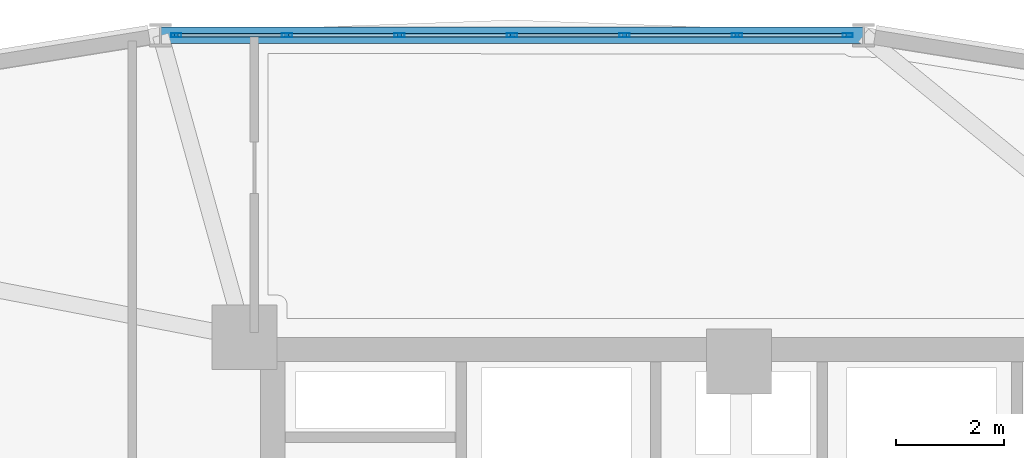
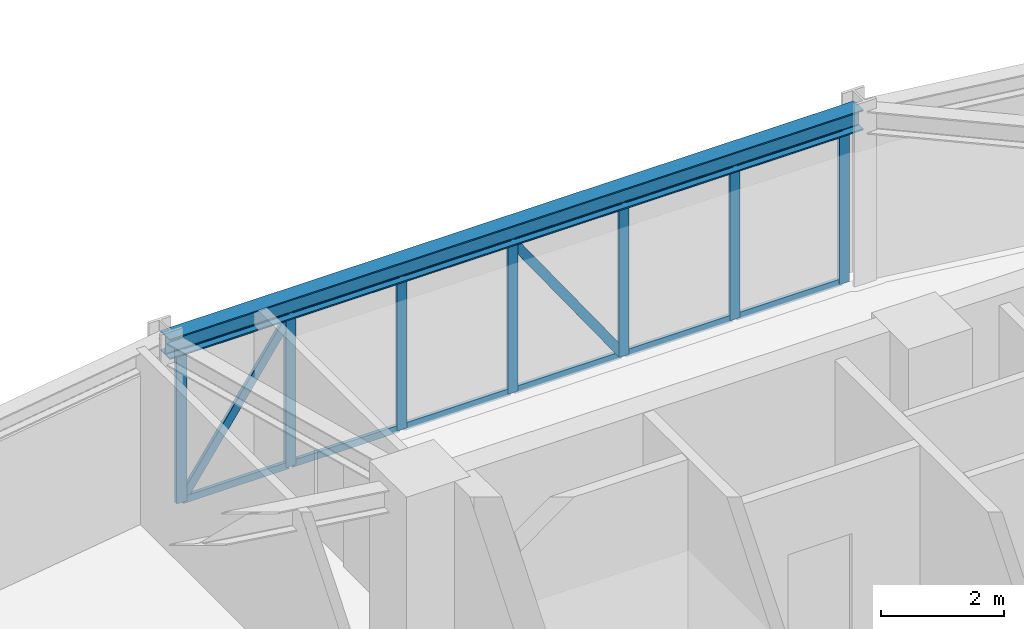
# One storey, part 8 of 15: 21 members, 1 beam, 1 element without a shape of its own.
"""IFC4 building model written with IfcOpenShell, lengths in metres."""

from ifc_helpers import new_model, si_unit, derived_unit, direction, frame, origin, origin_2d, place, context, subcontext, project, spatial, hollow_rectangle, i_section, extrude, source, transform, mapped, material, layer, layer_set, material_profile, profile_set, type_object, element, aggregate, save


model = new_model("IFC4")

# Units and contexts
model_context = context("Model", 3, precision=1e-05, world=origin(), true_north=direction((0.0, 1.0)))
body_context = subcontext(model_context, "Body", "Model", "MODEL_VIEW")
ifc_project = project(units=[si_unit("LENGTHUNIT", "METRE"), si_unit("AREAUNIT", "SQUARE_METRE"), si_unit("VOLUMEUNIT", "CUBIC_METRE"), si_unit("PLANEANGLEUNIT", "RADIAN"), si_unit("MASSUNIT", "GRAM", prefix="KILO"), derived_unit("THERMALTRANSMITTANCEUNIT", [(si_unit("POWERUNIT", "WATT"), 1), (si_unit("LENGTHUNIT", "METRE"), -2), (si_unit("THERMODYNAMICTEMPERATUREUNIT", "KELVIN"), -1)])], contexts=[model_context])

# Site, building, storey
site_placement = place(None, origin())
site = spatial("IfcSite", under=ifc_project, at=site_placement, CompositionType="ELEMENT")
building_placement = place(site_placement, origin())
building = spatial("IfcBuilding", under=site, at=building_placement, Name="Korsvarv Bourse and Concert Hall", CompositionType="ELEMENT")
storey_placement = place(building_placement, frame((0.0, 0.0, 147.0)))
storey = spatial("IfcBuildingStorey", under=building, at=storey_placement, Name="L37", CompositionType="ELEMENT", Elevation=147.0)

# Beam
ifc_material_1 = material(Name="Steel S355", Category="steel")
ifc_material_profile_1 = material_profile(ifc_material_1, i_section(OverallWidth=0.300048828125, OverallDepth=0.39990234375, WebThickness=0.013427734375, FlangeThickness=0.02392578125, FilletRadius=0.02099609375, at=origin_2d()), Name="HEB 400")
ifc_profile_set_1 = profile_set([ifc_material_profile_1], Name="Steel S355")
beam_type = type_object("IfcBeamType", Name="BM-HEB400", PredefinedType="SPANDREL", material=ifc_profile_set_1)
shared_shape_1 = source(origin(), body_context, "Body", "SweptSolid", [
    extrude(i_section(OverallWidth=0.300048828125, OverallDepth=0.39990234375, WebThickness=0.013427734375, FlangeThickness=0.02392578125, FilletRadius=0.02099609375, at=origin_2d()), origin(), (0.0, 0.0, 1.0), 13.00146484375),
])
beam_placement = place(storey_placement, frame((38.30078125, 52.83642578125, 3.199951171875), z_axis=(-1.0, 0.0, 0.0), x_axis=(0.0, -1.0, 0.0)))
element("IfcBeam", 1, at=beam_placement, inside=storey, type_object=beam_type, Name="L37 beam B-09", PredefinedType="SPANDREL", context=body_context, shape_type="MappedRepresentation", body=[
    mapped(shared_shape_1, transform((0.0, 0.0, 0.0), scale=1.0)),
])

# Curtain wall, members
ifc_material_2 = material(Name="Anodised aluminium and triple low-E glazing", Category="glass")
ifc_layer = layer(ifc_material_2, 0.2099609375)
ifc_layer_set = layer_set([ifc_layer], Name="Anodised aluminium and triple low-E glazing")
curtain_wall_type = type_object("IfcCurtainWallType", Name="CW-SYS-2", PredefinedType="NOTDEFINED", material=ifc_layer_set)
curtain_wall_placement = place(storey_placement, origin())
curtain_wall = element("IfcCurtainWall", 2, at=curtain_wall_placement, inside=storey, type_object=curtain_wall_type, Name="L37 CW2 curtain wall CW-L37-F03", PredefinedType="NOTDEFINED")
ifc_material_3 = material(Name="Extruded aluminium EN AW-6063 T66", Category="aluminium")
ifc_material_profile_2 = material_profile(ifc_material_3, hollow_rectangle(XDim=0.070068359375, YDim=0.18994140625, WallThickness=0.0048828125, at=origin_2d()), Name="ALU-M 70x190")
ifc_profile_set_2 = profile_set([ifc_material_profile_2], Name="Extruded aluminium EN AW-6063 T66")
member_type_1 = type_object("IfcMemberType", Name="CWM-190", PredefinedType="MULLION", material=ifc_profile_set_2)
shared_shape_2 = source(origin(), body_context, "Body", "SweptSolid", [
    extrude(hollow_rectangle(XDim=0.070068359375, YDim=0.18994140625, WallThickness=0.0048828125, at=origin_2d()), origin(), (0.0, 0.0, 1.0), 3.0),
])
member_1_placement = place(storey_placement, frame((38.009765625, 52.83642578125, 0.0), z_axis=(0.0, 0.0, 1.0), x_axis=(0.0, -1.0, 0.0)))
member_1 = element("IfcMember", 3, at=member_1_placement, type_object=member_type_1, Name="CW2 mullion 1", PredefinedType="MULLION", context=body_context, shape_type="MappedRepresentation", body=[
    mapped(shared_shape_2, transform((0.0, 0.0, 0.0), scale=1.0)),
])
member_2_placement = place(storey_placement, frame((35.963134765625, 52.83642578125, 0.0), z_axis=(0.0, 0.0, 1.0), x_axis=(0.0, -1.0, 0.0)))
member_2 = element("IfcMember", 4, at=member_2_placement, type_object=member_type_1, Name="CW2 mullion 2", PredefinedType="MULLION", context=body_context, shape_type="MappedRepresentation", body=[
    mapped(shared_shape_2, transform((0.0, 0.0, 0.0), scale=1.0)),
])
member_3_placement = place(storey_placement, frame((33.881591796875, 52.83642578125, 0.0), z_axis=(0.0, 0.0, 1.0), x_axis=(0.0, -1.0, 0.0)))
member_3 = element("IfcMember", 5, at=member_3_placement, type_object=member_type_1, Name="CW2 mullion 3", PredefinedType="MULLION", context=body_context, shape_type="MappedRepresentation", body=[
    mapped(shared_shape_2, transform((0.0, 0.0, 0.0), scale=1.0)),
])
member_4_placement = place(storey_placement, frame((31.800048828125, 52.83642578125, 0.0), z_axis=(0.0, 0.0, 1.0), x_axis=(0.0, -1.0, 0.0)))
member_4 = element("IfcMember", 6, at=member_4_placement, type_object=member_type_1, Name="CW2 mullion 4", PredefinedType="MULLION", context=body_context, shape_type="MappedRepresentation", body=[
    mapped(shared_shape_2, transform((0.0, 0.0, 0.0), scale=1.0)),
])
member_5_placement = place(storey_placement, frame((29.718505859375, 52.83642578125, 0.0), z_axis=(0.0, 0.0, 1.0), x_axis=(0.0, -1.0, 0.0)))
member_5 = element("IfcMember", 7, at=member_5_placement, type_object=member_type_1, Name="CW2 mullion 5", PredefinedType="MULLION", context=body_context, shape_type="MappedRepresentation", body=[
    mapped(shared_shape_2, transform((0.0, 0.0, 0.0), scale=1.0)),
])
member_6_placement = place(storey_placement, frame((27.63671875, 52.83642578125, 0.0), z_axis=(0.0, 0.0, 1.0), x_axis=(0.0, -1.0, 0.0)))
member_6 = element("IfcMember", 8, at=member_6_placement, type_object=member_type_1, Name="CW2 mullion 6", PredefinedType="MULLION", context=body_context, shape_type="MappedRepresentation", body=[
    mapped(shared_shape_2, transform((0.0, 0.0, 0.0), scale=1.0)),
])
member_7_placement = place(storey_placement, frame((25.590087890625, 52.83642578125, 0.0), z_axis=(0.0, 0.0, 1.0), x_axis=(0.0, -1.0, 0.0)))
member_7 = element("IfcMember", 9, at=member_7_placement, type_object=member_type_1, Name="CW2 mullion 7", PredefinedType="MULLION", context=body_context, shape_type="MappedRepresentation", body=[
    mapped(shared_shape_2, transform((0.0, 0.0, 0.0), scale=1.0)),
])
ifc_material_profile_3 = material_profile(ifc_material_3, hollow_rectangle(XDim=0.06494140625, YDim=0.139892578125, WallThickness=0.00390625, at=origin_2d()), Name="ALU-T 65x140")
ifc_profile_set_3 = profile_set([ifc_material_profile_3], Name="Extruded aluminium EN AW-6063 T66")
member_type_2 = type_object("IfcMemberType", Name="CWT-140", PredefinedType="USERDEFINED", material=ifc_profile_set_3)
shared_shape_3 = source(origin(), body_context, "Body", "SweptSolid", [
    extrude(hollow_rectangle(XDim=0.06494140625, YDim=0.139892578125, WallThickness=0.00390625, at=origin_2d()), origin(), (0.0, 0.0, 1.0), 1.9765625),
])
member_8_placement = place(storey_placement, frame((37.974853515625, 52.83642578125, 0.032470703125), z_axis=(-1.0, 0.0, 0.0), x_axis=(0.0, -1.0, 0.0)))
member_8 = element("IfcMember", 10, at=member_8_placement, type_object=member_type_2, Name="CW2 transom 1.1", ObjectType="TRANSOM", PredefinedType="USERDEFINED", context=body_context, shape_type="MappedRepresentation", body=[
    mapped(shared_shape_3, transform((0.0, 0.0, 0.0), scale=1.0)),
])
member_9_placement = place(storey_placement, frame((37.974853515625, 52.83642578125, 2.967529296875), z_axis=(-1.0, 0.0, 0.0), x_axis=(0.0, -1.0, 0.0)))
member_9 = element("IfcMember", 11, at=member_9_placement, type_object=member_type_2, Name="CW2 transom 1.2", ObjectType="TRANSOM", PredefinedType="USERDEFINED", context=body_context, shape_type="MappedRepresentation", body=[
    mapped(shared_shape_3, transform((0.0, 0.0, 0.0), scale=1.0)),
])
member_10_placement = place(storey_placement, frame((27.601806640625, 52.83642578125, 0.032470703125), z_axis=(-1.0, 0.0, 0.0), x_axis=(0.0, -1.0, 0.0)))
member_10 = element("IfcMember", 12, at=member_10_placement, type_object=member_type_2, Name="CW2 transom 6.1", ObjectType="TRANSOM", PredefinedType="USERDEFINED", context=body_context, shape_type="MappedRepresentation", body=[
    mapped(shared_shape_3, transform((0.0, 0.0, 0.0), scale=1.0)),
])
member_11_placement = place(storey_placement, frame((27.601806640625, 52.83642578125, 2.967529296875), z_axis=(-1.0, 0.0, 0.0), x_axis=(0.0, -1.0, 0.0)))
member_11 = element("IfcMember", 13, at=member_11_placement, type_object=member_type_2, Name="CW2 transom 6.2", ObjectType="TRANSOM", PredefinedType="USERDEFINED", context=body_context, shape_type="MappedRepresentation", body=[
    mapped(shared_shape_3, transform((0.0, 0.0, 0.0), scale=1.0)),
])
shared_shape_4 = source(origin(), body_context, "Body", "SweptSolid", [
    extrude(hollow_rectangle(XDim=0.06494140625, YDim=0.139892578125, WallThickness=0.00390625, at=origin_2d()), origin(), (0.0, 0.0, 1.0), 2.01171875),
])
member_12_placement = place(storey_placement, frame((35.92822265625, 52.83642578125, 0.032470703125), z_axis=(-1.0, 0.0, 0.0), x_axis=(0.0, -1.0, 0.0)))
member_12 = element("IfcMember", 14, at=member_12_placement, type_object=member_type_2, Name="CW2 transom 2.1", ObjectType="TRANSOM", PredefinedType="USERDEFINED", context=body_context, shape_type="MappedRepresentation", body=[
    mapped(shared_shape_4, transform((0.0, 0.0, 0.0), scale=1.0)),
])
member_13_placement = place(storey_placement, frame((35.92822265625, 52.83642578125, 2.967529296875), z_axis=(-1.0, 0.0, 0.0), x_axis=(0.0, -1.0, 0.0)))
member_13 = element("IfcMember", 15, at=member_13_placement, type_object=member_type_2, Name="CW2 transom 2.2", ObjectType="TRANSOM", PredefinedType="USERDEFINED", context=body_context, shape_type="MappedRepresentation", body=[
    mapped(shared_shape_4, transform((0.0, 0.0, 0.0), scale=1.0)),
])
member_14_placement = place(storey_placement, frame((33.8466796875, 52.83642578125, 0.032470703125), z_axis=(-1.0, 0.0, 0.0), x_axis=(0.0, -1.0, 0.0)))
member_14 = element("IfcMember", 16, at=member_14_placement, type_object=member_type_2, Name="CW2 transom 3.1", ObjectType="TRANSOM", PredefinedType="USERDEFINED", context=body_context, shape_type="MappedRepresentation", body=[
    mapped(shared_shape_4, transform((0.0, 0.0, 0.0), scale=1.0)),
])
member_15_placement = place(storey_placement, frame((33.8466796875, 52.83642578125, 2.967529296875), z_axis=(-1.0, 0.0, 0.0), x_axis=(0.0, -1.0, 0.0)))
member_15 = element("IfcMember", 17, at=member_15_placement, type_object=member_type_2, Name="CW2 transom 3.2", ObjectType="TRANSOM", PredefinedType="USERDEFINED", context=body_context, shape_type="MappedRepresentation", body=[
    mapped(shared_shape_4, transform((0.0, 0.0, 0.0), scale=1.0)),
])
ifc_material_profile_4 = material_profile(ifc_material_3, hollow_rectangle(XDim=0.06494140625, YDim=0.1650390625, WallThickness=0.0048828125, at=origin_2d()), Name="ALU-M 65x165")
ifc_profile_set_4 = profile_set([ifc_material_profile_4], Name="Extruded aluminium EN AW-6063 T66")
member_type_3 = type_object("IfcMemberType", Name="CWM-165", PredefinedType="MULLION", material=ifc_profile_set_4)
shared_shape_5 = source(origin(), body_context, "Body", "SweptSolid", [
    extrude(hollow_rectangle(XDim=0.06494140625, YDim=0.1650390625, WallThickness=0.0048828125, at=origin_2d()), origin(), (0.0, 0.0, 1.0), 3.5048828125),
])
member_16_placement = place(storey_placement, frame((33.8466796875, 52.83642578125, 0.06494140625), z_axis=(-0.573967126067, 0.0, 0.81887834151), x_axis=(0.0, -1.0, 0.0)))
member_16 = element("IfcMember", 18, at=member_16_placement, type_object=member_type_3, Name="CW2 diagonal mullion 3", PredefinedType="MULLION", context=body_context, shape_type="MappedRepresentation", body=[
    mapped(shared_shape_5, transform((0.0, 0.0, 0.0), scale=1.0)),
])
shared_shape_6 = source(origin(), body_context, "Body", "SweptSolid", [
    extrude(hollow_rectangle(XDim=0.06494140625, YDim=0.139892578125, WallThickness=0.00390625, at=origin_2d()), origin(), (0.0, 0.0, 1.0), 2.011474609375),
])
member_17_placement = place(storey_placement, frame((31.764892578125, 52.83642578125, 0.032470703125), z_axis=(-1.0, 0.0, 0.0), x_axis=(0.0, -1.0, 0.0)))
member_17 = element("IfcMember", 19, at=member_17_placement, type_object=member_type_2, Name="CW2 transom 4.1", ObjectType="TRANSOM", PredefinedType="USERDEFINED", context=body_context, shape_type="MappedRepresentation", body=[
    mapped(shared_shape_6, transform((0.0, 0.0, 0.0), scale=1.0)),
])
member_18_placement = place(storey_placement, frame((31.764892578125, 52.83642578125, 2.967529296875), z_axis=(-1.0, 0.0, 0.0), x_axis=(0.0, -1.0, 0.0)))
member_18 = element("IfcMember", 20, at=member_18_placement, type_object=member_type_2, Name="CW2 transom 4.2", ObjectType="TRANSOM", PredefinedType="USERDEFINED", context=body_context, shape_type="MappedRepresentation", body=[
    mapped(shared_shape_6, transform((0.0, 0.0, 0.0), scale=1.0)),
])
member_19_placement = place(storey_placement, frame((29.683349609375, 52.83642578125, 0.032470703125), z_axis=(-1.0, 0.0, 0.0), x_axis=(0.0, -1.0, 0.0)))
member_19 = element("IfcMember", 21, at=member_19_placement, type_object=member_type_2, Name="CW2 transom 5.1", ObjectType="TRANSOM", PredefinedType="USERDEFINED", context=body_context, shape_type="MappedRepresentation", body=[
    mapped(shared_shape_6, transform((0.0, 0.0, 0.0), scale=1.0)),
])
member_20_placement = place(storey_placement, frame((29.683349609375, 52.83642578125, 2.967529296875), z_axis=(-1.0, 0.0, 0.0), x_axis=(0.0, -1.0, 0.0)))
member_20 = element("IfcMember", 22, at=member_20_placement, type_object=member_type_2, Name="CW2 transom 5.2", ObjectType="TRANSOM", PredefinedType="USERDEFINED", context=body_context, shape_type="MappedRepresentation", body=[
    mapped(shared_shape_6, transform((0.0, 0.0, 0.0), scale=1.0)),
])
shared_shape_7 = source(origin(), body_context, "Body", "SweptSolid", [
    extrude(hollow_rectangle(XDim=0.06494140625, YDim=0.1650390625, WallThickness=0.0048828125, at=origin_2d()), origin(), (0.0, 0.0, 1.0), 3.48486328125),
])
member_21_placement = place(storey_placement, frame((25.625244140625, 52.83642578125, 0.06494140625), z_axis=(0.56718275899, 0.0, 0.823591960806), x_axis=(0.0, 1.0, 0.0)))
member_21 = element("IfcMember", 23, at=member_21_placement, type_object=member_type_3, Name="CW2 diagonal mullion 6", PredefinedType="MULLION", context=body_context, shape_type="MappedRepresentation", body=[
    mapped(shared_shape_7, transform((0.0, 0.0, 0.0), scale=1.0)),
])
aggregate(curtain_wall, [member_1, member_2, member_3, member_4, member_5, member_6, member_7, member_8, member_9, member_12, member_13, member_14, member_15, member_16, member_17, member_18, member_19, member_20, member_10, member_11, member_21])

save(model, "model.ifc")
